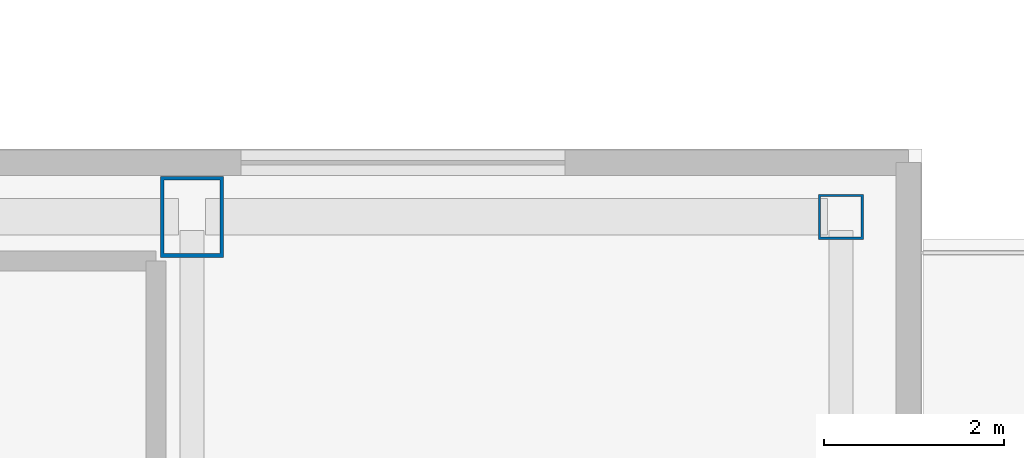
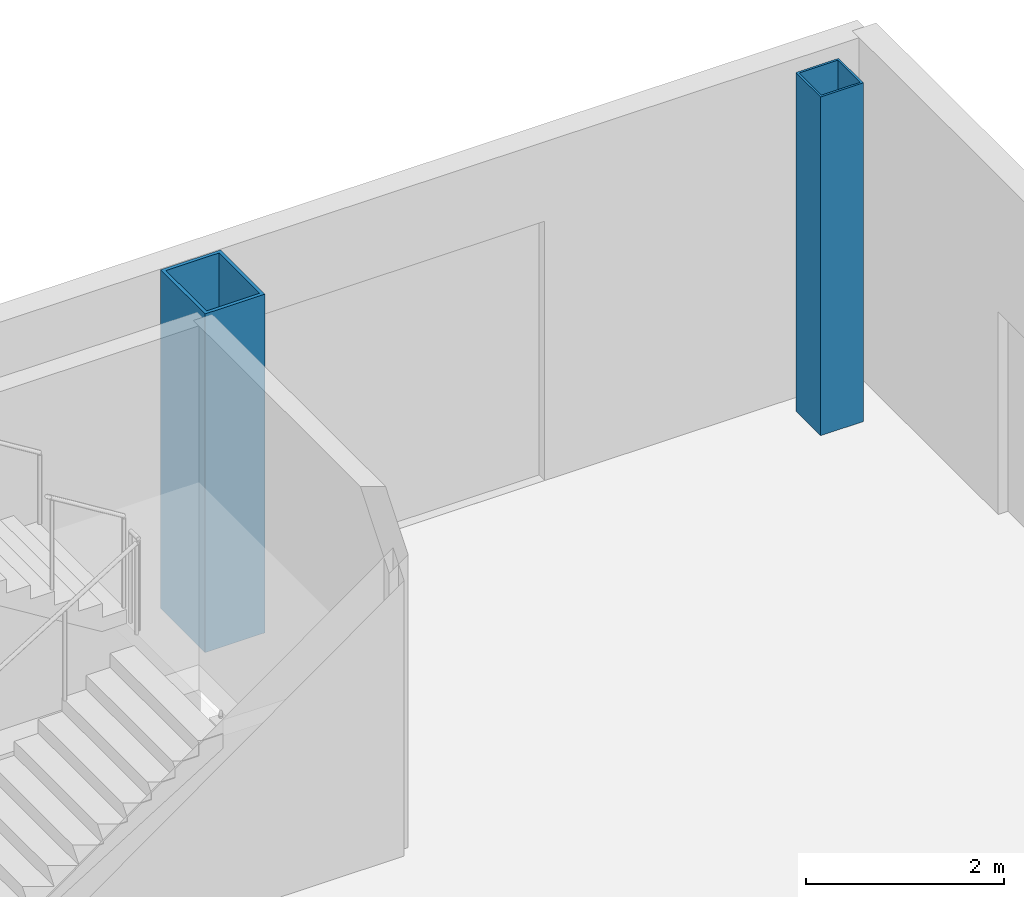
# One storey, part 4 of 31: 2 columns.
"""IFC4 building model written with IfcOpenShell, lengths in metres."""

from ifc_helpers import new_model, si_unit, direction, frame, origin, origin_2d, place, context, subcontext, project, spatial, hollow_rectangle, extrude, source, transform, mapped, material, material_profile, profile_set, type_object, element, save


model = new_model("IFC4")

# Units and contexts
model_context = context("Model", 3, precision=1e-05, world=origin(), true_north=direction((0.0, 1.0)))
body_context = subcontext(model_context, "Body", "Model", "MODEL_VIEW")
ifc_project = project(units=[si_unit("LENGTHUNIT", "METRE"), si_unit("AREAUNIT", "SQUARE_METRE"), si_unit("VOLUMEUNIT", "CUBIC_METRE"), si_unit("PLANEANGLEUNIT", "RADIAN"), si_unit("MASSUNIT", "GRAM", prefix="KILO")], contexts=[model_context])

# Site, building, storey
site_placement = place(None, origin())
site = spatial("IfcSite", under=ifc_project, at=site_placement, CompositionType="ELEMENT")
building_placement = place(site_placement, origin())
building = spatial("IfcBuilding", under=site, at=building_placement, Name="Kolveth Station Tower", CompositionType="ELEMENT")
storey_placement = place(building_placement, origin())
storey = spatial("IfcBuildingStorey", under=building, at=storey_placement, Name="L00", CompositionType="ELEMENT", Elevation=0.0)

# Columns
ifc_material = material(Name="Steel S355", Category="steel")
ifc_material_profile_1 = material_profile(ifc_material, hollow_rectangle(XDim=0.699951171875, YDim=0.89990234375, WallThickness=0.0400390625, at=origin_2d()), Name="BOX900x700x40")
ifc_profile_set_1 = profile_set([ifc_material_profile_1], Name="Steel S355")
column_type_1 = type_object("IfcColumnType", Name="Col_SC1", PredefinedType="COLUMN", material=ifc_profile_set_1)
shared_shape_1 = source(origin(), body_context, "Body", "SweptSolid", [
    extrude(hollow_rectangle(XDim=0.699951171875, YDim=0.89990234375, WallThickness=0.0400390625, at=origin_2d()), origin(), (0.0, 0.0, 1.0), 4.179931640625),
])
column_1_placement = place(storey_placement, frame((63.5, 39.75, 0.0), z_axis=(0.0, 0.0, 1.0), x_axis=(1.0, 0.0, 0.0)))
element("IfcColumn", 1, at=column_1_placement, inside=storey, type_object=column_type_1, Name="L00 Station Column SE-3-6", PredefinedType="COLUMN", context=body_context, shape_type="MappedRepresentation", body=[
    mapped(shared_shape_1, transform((0.0, 0.0, 0.0), x_axis=(1.0, 0.0, 0.0), y_axis=(0.0, 1.0, 0.0), z_axis=(0.0, 0.0, 1.0), scale=1.0)),
])
ifc_material_profile_2 = material_profile(ifc_material, hollow_rectangle(XDim=0.5, YDim=0.5, WallThickness=0.02490234375, at=origin_2d()), Name="HSS500x500x25")
ifc_profile_set_2 = profile_set([ifc_material_profile_2], Name="Steel S355")
column_type_2 = type_object("IfcColumnType", Name="Col_SC2", PredefinedType="COLUMN", material=ifc_profile_set_2)
shared_shape_2 = source(origin(), body_context, "Body", "SweptSolid", [
    extrude(hollow_rectangle(XDim=0.5, YDim=0.5, WallThickness=0.02490234375, at=origin_2d()), origin(), (0.0, 0.0, 1.0), 4.179931640625),
])
column_2_placement = place(storey_placement, frame((70.699951171875, 39.75, 0.0), z_axis=(0.0, 0.0, 1.0), x_axis=(1.0, 0.0, 0.0)))
element("IfcColumn", 2, at=column_2_placement, inside=storey, type_object=column_type_2, Name="L00 Station Column SE-4-6", PredefinedType="COLUMN", context=body_context, shape_type="MappedRepresentation", body=[
    mapped(shared_shape_2, transform((0.0, 0.0, 0.0), x_axis=(1.0, 0.0, 0.0), y_axis=(0.0, 1.0, 0.0), z_axis=(0.0, 0.0, 1.0), scale=1.0)),
])

save(model, "model.ifc")
